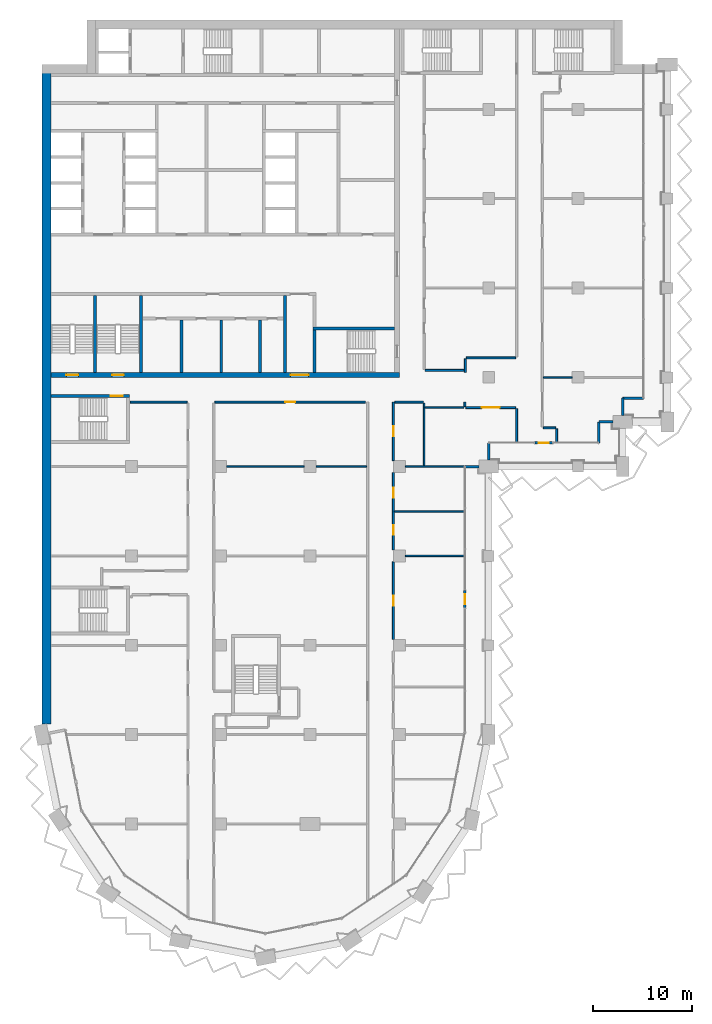
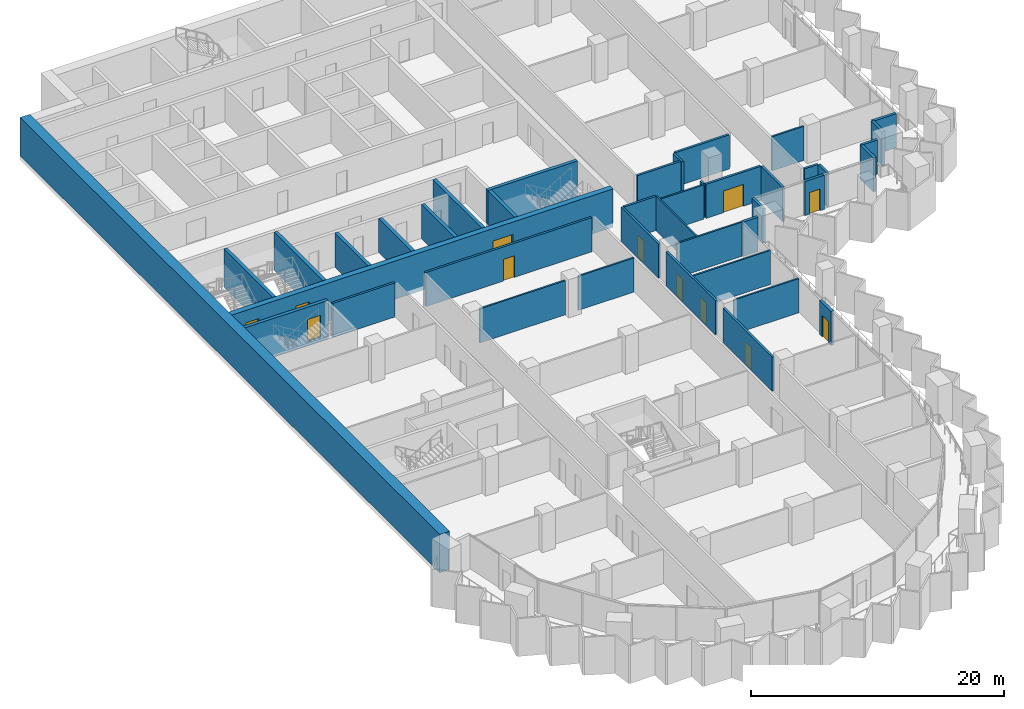
# One storey, part 11 of 22: 41 walls, 12 doors, 12 openings.
"""IFC4 building model written with IfcOpenShell, lengths in metres."""

from ifc_helpers import new_model, si_unit, direction, frame, frame_2d, origin, place, context, subcontext, project, spatial, rectangle, extrude, material, layer, layer_set, type_object, element, fill, save


model = new_model("IFC4")

# Units and contexts
model_context = context("Model", 3, precision=1e-05, world=origin(), true_north=direction((0.0, 1.0)))
body_context = subcontext(model_context, "Body", "Model", "MODEL_VIEW")
ifc_project = project(units=[si_unit("LENGTHUNIT", "METRE"), si_unit("AREAUNIT", "SQUARE_METRE"), si_unit("VOLUMEUNIT", "CUBIC_METRE"), si_unit("PLANEANGLEUNIT", "RADIAN"), si_unit("MASSUNIT", "GRAM", prefix="KILO")], contexts=[model_context])

# Site, building, storey
site_placement = place(None, origin())
site = spatial("IfcSite", under=ifc_project, at=site_placement, CompositionType="ELEMENT")
building_placement = place(site_placement, origin())
building = spatial("IfcBuilding", under=site, at=building_placement, Name="Hunhe Ridgeline Campus", CompositionType="ELEMENT")
storey_placement = place(building_placement, frame((0.0, 0.0, 137.5)))
storey = spatial("IfcBuildingStorey", under=building, at=storey_placement, Name="L34", CompositionType="ELEMENT", Elevation=137.5)

# Walls
ifc_material_1 = material(Name="Masonry concrete blockwork", Category="masonry")
ifc_layer_1 = layer(ifc_material_1, 0.300048828125)
ifc_layer_set_1 = layer_set([ifc_layer_1], Name="Core room partition 300 concrete block")
wall_type_1 = type_object("IfcWallType", Name="Core room partition 300 concrete block", PredefinedType="PARTITIONING", material=ifc_layer_set_1)
for number, where, z_axis, x_axis, name in (
    (1, (14.050048828125, 63.5, 0.0), (0.0, 0.0, 1.0), (0.0, 1.0, 0.0), "L34 core partition 42"),
    (2, (18.050048828125, 63.5, 0.0), (0.0, 0.0, 1.0), (0.0, 1.0, 0.0), "L34 core partition 45"),
    (3, (21.949951171875, 63.5, 0.0), (0.0, 0.0, 1.0), (0.0, 1.0, 0.0), "L34 core partition 47"),
):
    element("IfcWall", number, at=place(storey_placement, frame(where, z_axis=z_axis, x_axis=x_axis)), inside=storey, type_object=wall_type_1, Name=name, PredefinedType="PARTITIONING", context=body_context, shape_type="SweptSolid", body=[
        extrude(rectangle(XDim=5.25, YDim=0.300048828125, at=frame_2d((2.625, 0.0))), origin(), (0.0, 0.0, 1.0), 3.300048828125),
    ])
wall_1_placement = place(storey_placement, frame((24.449951171875, 63.5, 0.0), z_axis=(0.0, 0.0, 1.0), x_axis=(0.0, 1.0, 0.0)))
element("IfcWall", 4, at=wall_1_placement, inside=storey, type_object=wall_type_1, Name="L34 core partition 52", PredefinedType="PARTITIONING", context=body_context, shape_type="SweptSolid", body=[
    extrude(rectangle(XDim=7.75, YDim=0.300048828125, at=frame_2d((3.875, 0.0))), origin(), (0.0, 0.0, 1.0), 3.300048828125),
])

# Wall, openings, doors
ifc_material_2 = material(Name="Concrete C70", Category="concrete")
ifc_layer_2 = layer(ifc_material_2, 0.5)
ifc_layer_set_2 = layer_set([ifc_layer_2], Name="Core wall 500 reinforced concrete C70")
wall_type_2 = type_object("IfcWallType", Name="Core wall 500 reinforced concrete C70", PredefinedType="SOLIDWALL", material=ifc_layer_set_2)
wall_2_placement = place(storey_placement, frame((0.89990234375, 63.25, -0.39990234375), z_axis=(0.0, 0.0, 1.0), x_axis=(1.0, 0.0, 0.0)))
wall_2 = element("IfcWall", 5, at=wall_2_placement, inside=storey, type_object=wall_type_2, Name="L34 core wall 7", PredefinedType="SOLIDWALL", context=body_context, shape_type="SweptSolid", body=[
    extrude(rectangle(XDim=35.10009765625, YDim=0.5, at=frame_2d((17.550048828125, 0.0))), origin(), (0.0, 0.0, 1.0), 3.699951171875),
])
opening_1_placement = place(wall_2_placement, frame((24.14990234375, 0.0, 0.39990234375)))
opening_1 = element("IfcOpeningElement", 6, at=opening_1_placement, cuts=wall_2, Name="Opening CD6", PredefinedType="OPENING", context=body_context, shape_type="SweptSolid", body=[
    extrude(rectangle(XDim=1.800048828125, YDim=2.10009765625, at=frame_2d((0.89990234375, 1.050048828125))), frame((0.0, 0.25, 0.0), z_axis=(0.0, -1.0, 0.0), x_axis=(1.0, 0.0, 0.0)), (0.0, 0.0, 1.0), 0.5),
])
opening_2_placement = place(wall_2_placement, frame((1.550048828125, 0.0, 0.39990234375)))
opening_2 = element("IfcOpeningElement", 7, at=opening_2_placement, cuts=wall_2, Name="Opening CD13", PredefinedType="OPENING", context=body_context, shape_type="SweptSolid", body=[
    extrude(rectangle(XDim=1.199951171875, YDim=2.10009765625, at=frame_2d((0.60009765625, 1.050048828125))), frame((0.0, 0.25, 0.0), z_axis=(0.0, -1.0, 0.0), x_axis=(1.0, 0.0, 0.0)), (0.0, 0.0, 1.0), 0.5),
])
opening_3_placement = place(wall_2_placement, frame((6.14990234375, 0.0, 0.39990234375)))
opening_3 = element("IfcOpeningElement", 8, at=opening_3_placement, cuts=wall_2, Name="Opening CD14", PredefinedType="OPENING", context=body_context, shape_type="SweptSolid", body=[
    extrude(rectangle(XDim=1.199951171875, YDim=2.10009765625, at=frame_2d((0.60009765625, 1.050048828125))), frame((0.0, 0.25, 0.0), z_axis=(0.0, -1.0, 0.0), x_axis=(1.0, 0.0, 0.0)), (0.0, 0.0, 1.0), 0.5),
])
ifc_material_3 = material(Name="Anodised aluminium and glass", Category="aluminium")
door_type_1 = type_object("IfcDoorType", Name="Glazed double door 1800x2100", OperationType="DOUBLE_DOOR_SINGLE_SWING", PredefinedType="DOOR", material=ifc_material_3)
door_1_placement = place(opening_1_placement, frame((1.800048828125, 0.0, 0.0), z_axis=(0.0, 0.0, 1.0), x_axis=(-1.0, 0.0, 0.0)))
door_1 = element("IfcDoor", 9, at=door_1_placement, inside=storey, type_object=door_type_1, Name="L34 door VEST-FLOOR", OperationType="DOUBLE_DOOR_SINGLE_SWING", OverallHeight=2.10009765625, OverallWidth=1.800048828125, PredefinedType="DOOR", context=body_context, shape_type="SweptSolid", body=[
    extrude(rectangle(XDim=1.800048828125, YDim=2.10009765625, at=frame_2d((0.89990234375, 1.050048828125))), frame((0.0, 0.02490234375, 0.0), z_axis=(0.0, -1.0, 0.0), x_axis=(1.0, 0.0, 0.0)), (0.0, 0.0, 1.0), 0.050048828125),
])
fill(opening_1, door_1)
ifc_material_4 = material(Name="Hollow metal fire door leaf")
door_type_2 = type_object("IfcDoorType", Name="Stair door 1200x2100 FD60", OperationType="SINGLE_SWING_LEFT", PredefinedType="DOOR", material=ifc_material_4)
door_2_placement = place(opening_2_placement, frame((1.199951171875, 0.0, 0.0), z_axis=(0.0, 0.0, 1.0), x_axis=(-1.0, 0.0, 0.0)))
door_2 = element("IfcDoor", 10, at=door_2_placement, inside=storey, type_object=door_type_2, Name="L34 door S3", OperationType="SINGLE_SWING_RIGHT", OverallHeight=2.10009765625, OverallWidth=1.199951171875, PredefinedType="DOOR", context=body_context, shape_type="SweptSolid", body=[
    extrude(rectangle(XDim=1.199951171875, YDim=2.10009765625, at=frame_2d((0.60009765625, 1.050048828125))), frame((0.0, 0.02490234375, 0.0), z_axis=(0.0, -1.0, 0.0), x_axis=(1.0, 0.0, 0.0)), (0.0, 0.0, 1.0), 0.050048828125),
])
fill(opening_2, door_2)
door_3_placement = place(opening_3_placement, frame((1.199951171875, 0.0, 0.0), z_axis=(0.0, 0.0, 1.0), x_axis=(-1.0, 0.0, 0.0)))
door_3 = element("IfcDoor", 11, at=door_3_placement, inside=storey, type_object=door_type_2, Name="L34 door S4", OperationType="SINGLE_SWING_LEFT", OverallHeight=2.10009765625, OverallWidth=1.199951171875, PredefinedType="DOOR", context=body_context, shape_type="SweptSolid", body=[
    extrude(rectangle(XDim=1.199951171875, YDim=2.10009765625, at=frame_2d((0.60009765625, 1.050048828125))), frame((0.0, 0.02490234375, 0.0), z_axis=(0.0, -1.0, 0.0), x_axis=(1.0, 0.0, 0.0)), (0.0, 0.0, 1.0), 0.050048828125),
])
fill(opening_3, door_3)

# Walls
ifc_material_5 = material(Name="Concrete C30", Category="concrete")
ifc_layer_3 = layer(ifc_material_5, 0.25)
ifc_layer_set_3 = layer_set([ifc_layer_3], Name="Corner return wall 250 Concrete C30")
wall_type_3 = type_object("IfcWallType", Name="Corner return wall 250 Concrete C30", PredefinedType="SOLIDWALL", material=ifc_layer_set_3)
wall_3_placement = place(storey_placement, frame((42.59912109375, 54.00048828125, 0.0), z_axis=(0.0, 0.0, 1.0), x_axis=(0.999999984814, 0.000174276749, 0.0)))
element("IfcWall", 12, at=wall_3_placement, inside=storey, type_object=wall_type_3, Name="Corner return wall 2", PredefinedType="SOLIDWALL", context=body_context, shape_type="SweptSolid", body=[
    extrude(rectangle(XDim=1.40087890625, YDim=0.25, at=frame_2d((0.700439453125, 0.0))), origin(), (0.0, 0.0, 1.0), 3.300048828125),
])
wall_4_placement = place(storey_placement, frame((44.999267578125, 54.64990234375, 0.0), z_axis=(0.0, 0.0, 1.0), x_axis=(0.000278862231, 0.999999961118, 0.0)))
element("IfcWall", 13, at=wall_4_placement, inside=storey, type_object=wall_type_3, Name="Corner return wall 3", PredefinedType="SOLIDWALL", context=body_context, shape_type="SweptSolid", body=[
    extrude(rectangle(XDim=1.7509765625, YDim=0.25, at=frame_2d((0.87548828125, 0.0))), origin(), (0.0, 0.0, 1.0), 3.300048828125),
])
wall_5_placement = place(storey_placement, frame((56.09912109375, 56.40087890625, 0.0), z_axis=(0.0, 0.0, 1.0), x_axis=(0.00011626555, 0.999999993241, 0.0)))
element("IfcWall", 14, at=wall_5_placement, inside=storey, type_object=wall_type_3, Name="Corner return wall 4", PredefinedType="SOLIDWALL", context=body_context, shape_type="SweptSolid", body=[
    extrude(rectangle(XDim=2.099853515625, YDim=0.25, at=frame_2d((1.0498046875, 0.0))), origin(), (0.0, 0.0, 1.0), 3.300048828125),
])
wall_6_placement = place(storey_placement, frame((56.099365234375, 58.500732421875, 0.0), z_axis=(0.0, 0.0, 1.0), x_axis=(0.999999984809, 0.000174307127, 0.0)))
element("IfcWall", 15, at=wall_6_placement, inside=storey, type_object=wall_type_3, Name="Corner return wall 5", PredefinedType="SOLIDWALL", context=body_context, shape_type="SweptSolid", body=[
    extrude(rectangle(XDim=1.400634765625, YDim=0.25, at=frame_2d((0.7001953125, 0.0))), origin(), (0.0, 0.0, 1.0), 3.300048828125),
])
wall_7_placement = place(storey_placement, frame((58.4990234375, 59.14990234375, 0.0), z_axis=(0.0, 0.0, 1.0), x_axis=(0.000139450563, 0.999999990277, 0.0)))
element("IfcWall", 16, at=wall_7_placement, inside=storey, type_object=wall_type_3, Name="Corner return wall 6", PredefinedType="SOLIDWALL", context=body_context, shape_type="SweptSolid", body=[
    extrude(rectangle(XDim=1.750732421875, YDim=0.25, at=frame_2d((0.87548828125, 0.0))), origin(), (0.0, 0.0, 1.0), 3.300048828125),
])
wall_8_placement = place(storey_placement, frame((58.499267578125, 60.900634765625, 0.0), z_axis=(0.0, 0.0, 1.0), x_axis=(0.999999993241, 0.00011626555, 0.0)))
element("IfcWall", 17, at=wall_8_placement, inside=storey, type_object=wall_type_3, Name="Corner return wall 7", PredefinedType="SOLIDWALL", context=body_context, shape_type="SweptSolid", body=[
    extrude(rectangle(XDim=2.099853515625, YDim=0.25, at=frame_2d((1.0498046875, 0.0))), origin(), (0.0, 0.0, 1.0), 3.300048828125),
])
ifc_material_6 = material(Name="Gypsum board partition")
ifc_layer_4 = layer(ifc_material_6, 0.199951171875)
ifc_layer_set_4 = layer_set([ifc_layer_4], Name="Corridor partition 200 gypsum board on steel studs")
wall_type_4 = type_object("IfcWallType", Name="Corridor partition 200 gypsum board on steel studs", PredefinedType="PARTITIONING", material=ifc_layer_set_4)
wall_9_placement = place(storey_placement, frame((50.5, 57.90087890625, 0.0), z_axis=(0.0, 0.0, 1.0), x_axis=(1.0, 0.0, 0.0)))
element("IfcWall", 18, at=wall_9_placement, inside=storey, type_object=wall_type_4, Name="F-L34-wall-036", PredefinedType="PARTITIONING", context=body_context, shape_type="SweptSolid", body=[
    extrude(rectangle(XDim=1.2490234375, YDim=0.199951171875, at=frame_2d((0.62451171875, 0.0))), origin(), (0.0, 0.0, 1.0), 3.300048828125),
])

# Wall, opening, door
wall_10_placement = place(storey_placement, frame((47.699951171875, 59.950927734375, 0.0), z_axis=(0.0, 0.0, 1.0), x_axis=(-1.0, 0.0, 0.0)))
wall_10 = element("IfcWall", 19, at=wall_10_placement, inside=storey, type_object=wall_type_4, Name="F-L34-wall-038", PredefinedType="PARTITIONING", context=body_context, shape_type="SweptSolid", body=[
    extrude(rectangle(XDim=5.0, YDim=0.199951171875, at=frame_2d((2.5, 0.0))), origin(), (0.0, 0.0, 1.0), 3.300048828125),
])
opening_4_placement = place(wall_10_placement, frame((1.60009765625, 0.0, 0.0)))
opening_4 = element("IfcOpeningElement", 20, at=opening_4_placement, cuts=wall_10, Name="Opening RD2-029", PredefinedType="OPENING", context=body_context, shape_type="SweptSolid", body=[
    extrude(rectangle(XDim=1.800048828125, YDim=2.10009765625, at=frame_2d((0.89990234375, 1.050048828125))), frame((0.0, 0.10009765625, 0.0), z_axis=(0.0, -1.0, 0.0), x_axis=(1.0, 0.0, 0.0)), (0.0, 0.0, 1.0), 0.199951171875),
])
ifc_material_7 = material(Name="Timber door leaf", Category="wood")
door_type_3 = type_object("IfcDoorType", Name="Double fire door 1800x2100 timber FD60", OperationType="DOUBLE_DOOR_SINGLE_SWING", PredefinedType="DOOR", material=ifc_material_7)
door_4_placement = place(opening_4_placement, origin())
door_4 = element("IfcDoor", 21, at=door_4_placement, inside=storey, type_object=door_type_3, Name="F-L34-door-029", OperationType="DOUBLE_DOOR_SINGLE_SWING", OverallHeight=2.10009765625, OverallWidth=1.800048828125, PredefinedType="DOOR", context=body_context, shape_type="SweptSolid", body=[
    extrude(rectangle(XDim=1.800048828125, YDim=2.10009765625, at=frame_2d((0.89990234375, 1.050048828125))), frame((0.0, 0.02490234375, 0.0), z_axis=(0.0, -1.0, 0.0), x_axis=(1.0, 0.0, 0.0)), (0.0, 0.0, 1.0), 0.050048828125),
])
fill(opening_4, door_4)

# Wall
wall_11_placement = place(storey_placement, frame((14.60009765625, 60.5, 0.0), z_axis=(0.0, 0.0, 1.0), x_axis=(-1.0, 0.0, 0.0)))
element("IfcWall", 22, at=wall_11_placement, inside=storey, type_object=wall_type_4, Name="F-L34-wall-039", PredefinedType="PARTITIONING", context=body_context, shape_type="SweptSolid", body=[
    extrude(rectangle(XDim=5.696044921875, YDim=0.199951171875, at=frame_2d((2.84814453125, 0.0))), origin(), (0.0, 0.0, 1.0), 3.300048828125),
])

# Wall, opening, door
wall_12_placement = place(storey_placement, frame((32.580810546875, 60.5, 0.0), z_axis=(0.0, 0.0, 1.0), x_axis=(-1.0, 0.0, 0.0)))
wall_12 = element("IfcWall", 23, at=wall_12_placement, inside=storey, type_object=wall_type_4, Name="F-L34-wall-040", PredefinedType="PARTITIONING", context=body_context, shape_type="SweptSolid", body=[
    extrude(rectangle(XDim=15.180908203125, YDim=0.199951171875, at=frame_2d((7.59033203125, 0.0))), origin(), (0.0, 0.0, 1.0), 3.300048828125),
])
opening_5_placement = place(wall_12_placement, frame((7.09033203125, 0.0, 0.0)))
opening_5 = element("IfcOpeningElement", 24, at=opening_5_placement, cuts=wall_12, Name="Opening RD1-030", PredefinedType="OPENING", context=body_context, shape_type="SweptSolid", body=[
    extrude(rectangle(XDim=1.0, YDim=2.10009765625, at=frame_2d((0.5, 1.050048828125))), frame((0.0, 0.10009765625, 0.0), z_axis=(0.0, -1.0, 0.0), x_axis=(1.0, 0.0, 0.0)), (0.0, 0.0, 1.0), 0.199951171875),
])
door_type_4 = type_object("IfcDoorType", Name="Single fire door 1000x2100 timber FD60", OperationType="NOTDEFINED", PredefinedType="DOOR", material=ifc_material_7)
door_5_placement = place(opening_5_placement, origin())
door_5 = element("IfcDoor", 25, at=door_5_placement, inside=storey, type_object=door_type_4, Name="F-L34-door-030", OperationType="SINGLE_SWING_LEFT", OverallHeight=2.10009765625, OverallWidth=1.0, PredefinedType="DOOR", context=body_context, shape_type="SweptSolid", body=[
    extrude(rectangle(XDim=1.0, YDim=2.10009765625, at=frame_2d((0.5, 1.050048828125))), frame((0.0, 0.02490234375, 0.0), z_axis=(0.0, -1.0, 0.0), x_axis=(1.0, 0.0, 0.0)), (0.0, 0.0, 1.0), 0.050048828125),
])
fill(opening_5, door_5)

# Walls
wall_13_placement = place(storey_placement, frame((38.425048828125, 60.5, 0.0), z_axis=(0.0, 0.0, 1.0), x_axis=(-1.0, 0.0, 0.0)))
element("IfcWall", 26, at=wall_13_placement, inside=storey, type_object=wall_type_4, Name="F-L34-wall-041", PredefinedType="PARTITIONING", context=body_context, shape_type="SweptSolid", body=[
    extrude(rectangle(XDim=2.884765625, YDim=0.199951171875, at=frame_2d((1.4423828125, 0.0))), origin(), (0.0, 0.0, 1.0), 3.300048828125),
])
wall_14_placement = place(storey_placement, frame((38.60009765625, 63.699951171875, 0.0), z_axis=(0.0, 0.0, 1.0), x_axis=(1.0, 0.0, 0.0)))
element("IfcWall", 27, at=wall_14_placement, inside=storey, type_object=wall_type_4, Name="F-L34-wall-044", PredefinedType="PARTITIONING", context=body_context, shape_type="SweptSolid", body=[
    extrude(rectangle(XDim=3.949951171875, YDim=0.199951171875, at=frame_2d((1.97509765625, 0.0))), origin(), (0.0, 0.0, 1.0), 3.300048828125),
])
wall_15_placement = place(storey_placement, frame((42.75, 64.949951171875, 0.0), z_axis=(0.0, 0.0, 1.0), x_axis=(1.0, 0.0, 0.0)))
element("IfcWall", 28, at=wall_15_placement, inside=storey, type_object=wall_type_4, Name="F-L34-wall-045", PredefinedType="PARTITIONING", context=body_context, shape_type="SweptSolid", body=[
    extrude(rectangle(XDim=4.949951171875, YDim=0.199951171875, at=frame_2d((2.47509765625, 0.0))), origin(), (0.0, 0.0, 1.0), 3.300048828125),
])

# Wall, opening, door
wall_16_placement = place(storey_placement, frame((35.39990234375, 44.39990234375, 0.0), z_axis=(0.0, 0.0, 1.0), x_axis=(0.0, -1.0, 0.0)))
wall_16 = element("IfcWall", 29, at=wall_16_placement, inside=storey, type_object=wall_type_4, Name="F-L34-wall-072", PredefinedType="PARTITIONING", context=body_context, shape_type="SweptSolid", body=[
    extrude(rectangle(XDim=7.7998046875, YDim=0.199951171875, at=frame_2d((3.89990234375, 0.0))), origin(), (0.0, 0.0, 1.0), 3.300048828125),
])
opening_6_placement = place(wall_16_placement, frame((3.39990234375, 0.0, 0.0)))
opening_6 = element("IfcOpeningElement", 30, at=opening_6_placement, cuts=wall_16, Name="Opening RD1-017", PredefinedType="OPENING", context=body_context, shape_type="SweptSolid", body=[
    extrude(rectangle(XDim=1.0, YDim=2.10009765625, at=frame_2d((0.5, 1.050048828125))), frame((0.0, 0.10009765625, 0.0), z_axis=(0.0, -1.0, 0.0), x_axis=(1.0, 0.0, 0.0)), (0.0, 0.0, 1.0), 0.199951171875),
])
door_6_placement = place(opening_6_placement, origin())
door_6 = element("IfcDoor", 31, at=door_6_placement, inside=storey, type_object=door_type_4, Name="F-L34-door-017", OperationType="SINGLE_SWING_LEFT", OverallHeight=2.10009765625, OverallWidth=1.0, PredefinedType="DOOR", context=body_context, shape_type="SweptSolid", body=[
    extrude(rectangle(XDim=1.0, YDim=2.10009765625, at=frame_2d((0.5, 1.050048828125))), frame((0.0, 0.02490234375, 0.0), z_axis=(0.0, -1.0, 0.0), x_axis=(1.0, 0.0, 0.0)), (0.0, 0.0, 1.0), 0.050048828125),
])
fill(opening_6, door_6)

# Wall, openings, doors
wall_17_placement = place(storey_placement, frame((35.39990234375, 53.39990234375, 0.0), z_axis=(0.0, 0.0, 1.0), x_axis=(0.0, -1.0, 0.0)))
wall_17 = element("IfcWall", 32, at=wall_17_placement, inside=storey, type_object=wall_type_4, Name="F-L34-wall-073", PredefinedType="PARTITIONING", context=body_context, shape_type="SweptSolid", body=[
    extrude(rectangle(XDim=7.7998046875, YDim=0.199951171875, at=frame_2d((3.89990234375, 0.0))), origin(), (0.0, 0.0, 1.0), 3.300048828125),
])
opening_7_placement = place(wall_17_placement, frame((5.287109375, 0.0, 0.0)))
opening_7 = element("IfcOpeningElement", 33, at=opening_7_placement, cuts=wall_17, Name="Opening RD1-021", PredefinedType="OPENING", context=body_context, shape_type="SweptSolid", body=[
    extrude(rectangle(XDim=1.0, YDim=2.10009765625, at=frame_2d((0.5, 1.050048828125))), frame((0.0, 0.10009765625, 0.0), z_axis=(0.0, -1.0, 0.0), x_axis=(1.0, 0.0, 0.0)), (0.0, 0.0, 1.0), 0.199951171875),
])
opening_8_placement = place(wall_17_placement, frame((1.512939453125, 0.0, 0.0)))
opening_8 = element("IfcOpeningElement", 34, at=opening_8_placement, cuts=wall_17, Name="Opening RD1-024", PredefinedType="OPENING", context=body_context, shape_type="SweptSolid", body=[
    extrude(rectangle(XDim=1.0, YDim=2.10009765625, at=frame_2d((0.5, 1.050048828125))), frame((0.0, 0.10009765625, 0.0), z_axis=(0.0, -1.0, 0.0), x_axis=(1.0, 0.0, 0.0)), (0.0, 0.0, 1.0), 0.199951171875),
])
door_7_placement = place(opening_7_placement, origin())
door_7 = element("IfcDoor", 35, at=door_7_placement, inside=storey, type_object=door_type_4, Name="F-L34-door-021", OperationType="SINGLE_SWING_RIGHT", OverallHeight=2.10009765625, OverallWidth=1.0, PredefinedType="DOOR", context=body_context, shape_type="SweptSolid", body=[
    extrude(rectangle(XDim=1.0, YDim=2.10009765625, at=frame_2d((0.5, 1.050048828125))), frame((0.0, 0.02490234375, 0.0), z_axis=(0.0, -1.0, 0.0), x_axis=(1.0, 0.0, 0.0)), (0.0, 0.0, 1.0), 0.050048828125),
])
fill(opening_7, door_7)
door_8_placement = place(opening_8_placement, origin())
door_8 = element("IfcDoor", 36, at=door_8_placement, inside=storey, type_object=door_type_4, Name="F-L34-door-024", OperationType="SINGLE_SWING_LEFT", OverallHeight=2.10009765625, OverallWidth=1.0, PredefinedType="DOOR", context=body_context, shape_type="SweptSolid", body=[
    extrude(rectangle(XDim=1.0, YDim=2.10009765625, at=frame_2d((0.5, 1.050048828125))), frame((0.0, 0.02490234375, 0.0), z_axis=(0.0, -1.0, 0.0), x_axis=(1.0, 0.0, 0.0)), (0.0, 0.0, 1.0), 0.050048828125),
])
fill(opening_8, door_8)

# Wall, opening, door
wall_18_placement = place(storey_placement, frame((35.39990234375, 60.5, 0.0), z_axis=(0.0, 0.0, 1.0), x_axis=(0.0, -1.0, 0.0)))
wall_18 = element("IfcWall", 37, at=wall_18_placement, inside=storey, type_object=wall_type_4, Name="F-L34-wall-074", PredefinedType="PARTITIONING", context=body_context, shape_type="SweptSolid", body=[
    extrude(rectangle(XDim=5.89990234375, YDim=0.199951171875, at=frame_2d((2.949951171875, 0.0))), origin(), (0.0, 0.0, 1.0), 3.300048828125),
])
opening_9_placement = place(wall_18_placement, frame((2.449951171875, 0.0, 0.0)))
opening_9 = element("IfcOpeningElement", 38, at=opening_9_placement, cuts=wall_18, Name="Opening RD1-028", PredefinedType="OPENING", context=body_context, shape_type="SweptSolid", body=[
    extrude(rectangle(XDim=1.0, YDim=2.10009765625, at=frame_2d((0.5, 1.050048828125))), frame((0.0, 0.10009765625, 0.0), z_axis=(0.0, -1.0, 0.0), x_axis=(1.0, 0.0, 0.0)), (0.0, 0.0, 1.0), 0.199951171875),
])
door_9_placement = place(opening_9_placement, origin())
door_9 = element("IfcDoor", 39, at=door_9_placement, inside=storey, type_object=door_type_4, Name="F-L34-door-028", OperationType="SINGLE_SWING_RIGHT", OverallHeight=2.10009765625, OverallWidth=1.0, PredefinedType="DOOR", context=body_context, shape_type="SweptSolid", body=[
    extrude(rectangle(XDim=1.0, YDim=2.10009765625, at=frame_2d((0.5, 1.050048828125))), frame((0.0, 0.02490234375, 0.0), z_axis=(0.0, -1.0, 0.0), x_axis=(1.0, 0.0, 0.0)), (0.0, 0.0, 1.0), 0.050048828125),
])
fill(opening_9, door_9)

# Walls
wall_19_placement = place(storey_placement, frame((42.60009765625, 60.051025390625, 0.0), z_axis=(0.0, 0.0, 1.0), x_axis=(0.0, 1.0, 0.0)))
element("IfcWall", 40, at=wall_19_placement, inside=storey, type_object=wall_type_4, Name="F-L34-wall-077", PredefinedType="PARTITIONING", context=body_context, shape_type="SweptSolid", body=[
    extrude(rectangle(XDim=0.448974609375, YDim=0.199951171875, at=frame_2d((0.224609375, 0.0))), origin(), (0.0, 0.0, 1.0), 3.300048828125),
])
wall_20_placement = place(storey_placement, frame((42.64990234375, 63.487548828125, 0.0), z_axis=(0.0, 0.0, 1.0), x_axis=(0.0, 1.0, 0.0)))
element("IfcWall", 41, at=wall_20_placement, inside=storey, type_object=wall_type_4, Name="F-L34-wall-078", PredefinedType="PARTITIONING", context=body_context, shape_type="SweptSolid", body=[
    extrude(rectangle(XDim=1.362548828125, YDim=0.199951171875, at=frame_2d((0.68115234375, 0.0))), origin(), (0.0, 0.0, 1.0), 3.300048828125),
])
wall_21_placement = place(storey_placement, frame((47.800048828125, 56.455078125, 0.0), z_axis=(0.0, 0.0, 1.0), x_axis=(0.0, 1.0, 0.0)))
element("IfcWall", 42, at=wall_21_placement, inside=storey, type_object=wall_type_4, Name="F-L34-wall-079", PredefinedType="PARTITIONING", context=body_context, shape_type="SweptSolid", body=[
    extrude(rectangle(XDim=3.39599609375, YDim=0.199951171875, at=frame_2d((1.697998046875, 0.0))), origin(), (0.0, 0.0, 1.0), 3.300048828125),
])
wall_22_placement = place(storey_placement, frame((51.84912109375, 57.801025390625, 0.0), z_axis=(0.0, 0.0, 1.0), x_axis=(0.0, -1.0, 0.0)))
element("IfcWall", 43, at=wall_22_placement, inside=storey, type_object=wall_type_4, Name="F-L34-wall-082", PredefinedType="PARTITIONING", context=body_context, shape_type="SweptSolid", body=[
    extrude(rectangle(XDim=1.345947265625, YDim=0.199951171875, at=frame_2d((0.6728515625, 0.0))), origin(), (0.0, 0.0, 1.0), 3.300048828125),
])

# Wall, opening, door
ifc_layer_5 = layer(ifc_material_5, 0.25)
ifc_layer_set_5 = layer_set([ifc_layer_5], Name="Loggia door pier wall 250 Concrete C30")
wall_type_5 = type_object("IfcWallType", Name="Loggia door pier wall 250 Concrete C30", PredefinedType="SOLIDWALL", material=ifc_layer_set_5)
wall_23_placement = place(storey_placement, frame((42.59912109375, 39.718505859375, 0.0), z_axis=(0.0, 0.0, 1.0), x_axis=(0.0, 1.0, 0.0)))
wall_23 = element("IfcWall", 44, at=wall_23_placement, inside=storey, type_object=wall_type_5, Name="Loggia door pier 3", PredefinedType="SOLIDWALL", context=body_context, shape_type="SweptSolid", body=[
    extrude(rectangle(XDim=1.800048828125, YDim=0.25, at=frame_2d((0.89990234375, 0.0))), origin(), (0.0, 0.0, 1.0), 3.300048828125),
])
opening_10_placement = place(wall_23_placement, frame((0.39990234375, 0.0, 0.0)))
opening_10 = element("IfcOpeningElement", 45, at=opening_10_placement, cuts=wall_23, Name="Opening BD305", PredefinedType="OPENING", context=body_context, shape_type="SweptSolid", body=[
    extrude(rectangle(XDim=1.0, YDim=2.10009765625, at=frame_2d((0.5, 1.050048828125))), frame((0.0, 0.125, 0.0), z_axis=(0.0, -1.0, 0.0), x_axis=(1.0, 0.0, 0.0)), (0.0, 0.0, 1.0), 0.25),
])
ifc_material_8 = material(Name="Aluminium 6063", Category="aluminium")
door_type_5 = type_object("IfcDoorType", Name="Loggia glazed door 1000x2100", OperationType="NOTDEFINED", PredefinedType="DOOR", material=ifc_material_8)
door_10_placement = place(opening_10_placement, frame((1.0, 0.0, 0.0), z_axis=(0.0, 0.0, 1.0), x_axis=(-1.0, 0.0, 0.0)))
door_10 = element("IfcDoor", 46, at=door_10_placement, inside=storey, type_object=door_type_5, Name="Loggia door BD305", OperationType="SINGLE_SWING_RIGHT", OverallHeight=2.10009765625, OverallWidth=1.0, PredefinedType="DOOR", context=body_context, shape_type="SweptSolid", body=[
    extrude(rectangle(XDim=1.0, YDim=2.10009765625, at=frame_2d((0.5, 1.050048828125))), frame((0.0, 0.02490234375, 0.0), z_axis=(0.0, -1.0, 0.0), x_axis=(1.0, 0.0, 0.0)), (0.0, 0.0, 1.0), 0.050048828125),
])
fill(opening_10, door_10)

wall_24_placement = place(storey_placement, frame((49.6494140625, 56.40087890625, 0.0), z_axis=(0.0, 0.0, 1.0), x_axis=(1.0, 0.0, 0.0)))
wall_24 = element("IfcWall", 47, at=wall_24_placement, inside=storey, type_object=wall_type_5, Name="Loggia door pier 4", PredefinedType="SOLIDWALL", context=body_context, shape_type="SweptSolid", body=[
    extrude(rectangle(XDim=1.800048828125, YDim=0.25, at=frame_2d((0.89990234375, 0.0))), origin(), (0.0, 0.0, 1.0), 3.300048828125),
])
opening_11_placement = place(wall_24_placement, frame((0.39990234375, 0.0, 0.0)))
opening_11 = element("IfcOpeningElement", 48, at=opening_11_placement, cuts=wall_24, Name="Opening BD306", PredefinedType="OPENING", context=body_context, shape_type="SweptSolid", body=[
    extrude(rectangle(XDim=1.0, YDim=2.10009765625, at=frame_2d((0.5, 1.050048828125))), frame((0.0, 0.125, 0.0), z_axis=(0.0, -1.0, 0.0), x_axis=(1.0, 0.0, 0.0)), (0.0, 0.0, 1.0), 0.25),
])
door_11_placement = place(opening_11_placement, frame((1.0, 0.0, 0.0), z_axis=(0.0, 0.0, 1.0), x_axis=(-1.0, 0.0, 0.0)))
door_11 = element("IfcDoor", 49, at=door_11_placement, inside=storey, type_object=door_type_5, Name="Loggia door BD306", OperationType="SINGLE_SWING_LEFT", OverallHeight=2.10009765625, OverallWidth=1.0, PredefinedType="DOOR", context=body_context, shape_type="SweptSolid", body=[
    extrude(rectangle(XDim=1.0, YDim=2.10009765625, at=frame_2d((0.5, 1.050048828125))), frame((0.0, 0.02490234375, 0.0), z_axis=(0.0, -1.0, 0.0), x_axis=(1.0, 0.0, 0.0)), (0.0, 0.0, 1.0), 0.050048828125),
])
fill(opening_11, door_11)

# Walls
ifc_layer_6 = layer(ifc_material_6, 0.14990234375)
ifc_layer_set_6 = layer_set([ifc_layer_6], Name="Room partition 150 gypsum board on steel studs")
wall_type_6 = type_object("IfcWallType", Name="Room partition 150 gypsum board on steel studs", PredefinedType="PARTITIONING", material=ifc_layer_set_6)
wall_25_placement = place(storey_placement, frame((36.60009765625, 45.0, 0.0), z_axis=(0.0, 0.0, 1.0), x_axis=(1.0, 0.0, 0.0)))
element("IfcWall", 50, at=wall_25_placement, inside=storey, type_object=wall_type_6, Name="F-L34-wall-029", PredefinedType="PARTITIONING", context=body_context, shape_type="SweptSolid", body=[
    extrude(rectangle(XDim=5.945068359375, YDim=0.14990234375, at=frame_2d((2.97265625, 0.0))), origin(), (0.0, 0.0, 1.0), 3.300048828125),
])
wall_26_placement = place(storey_placement, frame((35.5, 49.5, 0.0), z_axis=(0.0, 0.0, 1.0), x_axis=(1.0, 0.0, 0.0)))
element("IfcWall", 51, at=wall_26_placement, inside=storey, type_object=wall_type_6, Name="F-L34-wall-030", PredefinedType="PARTITIONING", context=body_context, shape_type="SweptSolid", body=[
    extrude(rectangle(XDim=7.045166015625, YDim=0.14990234375, at=frame_2d((3.5224609375, 0.0))), origin(), (0.0, 0.0, 1.0), 3.300048828125),
])
wall_27_placement = place(storey_placement, frame((18.60009765625, 54.0, 0.0), z_axis=(0.0, 0.0, 1.0), x_axis=(1.0, 0.0, 0.0)))
element("IfcWall", 52, at=wall_27_placement, inside=storey, type_object=wall_type_6, Name="F-L34-wall-033", PredefinedType="PARTITIONING", context=body_context, shape_type="SweptSolid", body=[
    extrude(rectangle(XDim=7.7998046875, YDim=0.14990234375, at=frame_2d((3.89990234375, 0.0))), origin(), (0.0, 0.0, 1.0), 3.300048828125),
])
wall_28_placement = place(storey_placement, frame((27.60009765625, 54.0, 0.0), z_axis=(0.0, 0.0, 1.0), x_axis=(1.0, 0.0, 0.0)))
element("IfcWall", 53, at=wall_28_placement, inside=storey, type_object=wall_type_6, Name="F-L34-wall-034", PredefinedType="PARTITIONING", context=body_context, shape_type="SweptSolid", body=[
    extrude(rectangle(XDim=5.099853515625, YDim=0.14990234375, at=frame_2d((2.5498046875, 0.0))), origin(), (0.0, 0.0, 1.0), 3.300048828125),
])
wall_29_placement = place(storey_placement, frame((36.60009765625, 54.0, 0.0), z_axis=(0.0, 0.0, 1.0), x_axis=(1.0, 0.0, 0.0)))
element("IfcWall", 54, at=wall_29_placement, inside=storey, type_object=wall_type_6, Name="F-L34-wall-035", PredefinedType="PARTITIONING", context=body_context, shape_type="SweptSolid", body=[
    extrude(rectangle(XDim=5.945068359375, YDim=0.14990234375, at=frame_2d((2.97265625, 0.0))), origin(), (0.0, 0.0, 1.0), 3.300048828125),
])
wall_30_placement = place(storey_placement, frame((38.574951171875, 59.950927734375, 0.0), z_axis=(0.0, 0.0, 1.0), x_axis=(1.0, 0.0, 0.0)))
element("IfcWall", 55, at=wall_30_placement, inside=storey, type_object=wall_type_6, Name="F-L34-wall-037", PredefinedType="PARTITIONING", context=body_context, shape_type="SweptSolid", body=[
    extrude(rectangle(XDim=3.925048828125, YDim=0.14990234375, at=frame_2d((1.96240234375, 0.0))), origin(), (0.0, 0.0, 1.0), 3.300048828125),
])
wall_31_placement = place(storey_placement, frame((50.5, 63.0, 0.0), z_axis=(0.0, 0.0, 1.0), x_axis=(1.0, 0.0, 0.0)))
element("IfcWall", 56, at=wall_31_placement, inside=storey, type_object=wall_type_6, Name="F-L34-wall-042", PredefinedType="PARTITIONING", context=body_context, shape_type="SweptSolid", body=[
    extrude(rectangle(XDim=2.89990234375, YDim=0.14990234375, at=frame_2d((1.449951171875, 0.0))), origin(), (0.0, 0.0, 1.0), 3.300048828125),
])
wall_32_placement = place(storey_placement, frame((38.5, 60.39990234375, 0.0), z_axis=(0.0, 0.0, 1.0), x_axis=(0.0, -1.0, 0.0)))
element("IfcWall", 57, at=wall_32_placement, inside=storey, type_object=wall_type_6, Name="F-L34-wall-075", PredefinedType="PARTITIONING", context=body_context, shape_type="SweptSolid", body=[
    extrude(rectangle(XDim=6.324951171875, YDim=0.14990234375, at=frame_2d((3.16259765625, 0.0))), origin(), (0.0, 0.0, 1.0), 3.300048828125),
])
ifc_layer_7 = layer(ifc_material_2, 0.89990234375)
ifc_layer_set_7 = layer_set([ifc_layer_7], Name="Spine wall 900 Concrete C70")
wall_type_7 = type_object("IfcWallType", Name="Spine wall 900 Concrete C70", PredefinedType="SHEAR", material=ifc_layer_set_7)
wall_33_placement = place(storey_placement, frame((0.449951171875, 94.5, 0.0), z_axis=(0.0, 0.0, 1.0), x_axis=(0.0, -1.0, 0.0)))
element("IfcWall", 58, at=wall_33_placement, inside=storey, type_object=wall_type_7, Name="Spine wall SW2-1 L34", PredefinedType="SHEAR", context=body_context, shape_type="SweptSolid", body=[
    extrude(rectangle(XDim=66.430419921875, YDim=0.89990234375, at=frame_2d((33.21533203125, 0.0))), origin(), (0.0, 0.0, 1.0), 3.699951171875),
])

# Wall, opening, door
ifc_layer_8 = layer(ifc_material_2, 0.300048828125)
ifc_layer_set_8 = layer_set([ifc_layer_8], Name="Stair wall 300 reinforced concrete C70")
wall_type_8 = type_object("IfcWallType", Name="Stair wall 300 reinforced concrete C70", PredefinedType="SOLIDWALL", material=ifc_layer_set_8)
wall_34_placement = place(storey_placement, frame((0.89990234375, 61.10009765625, -0.39990234375), z_axis=(0.0, 0.0, 1.0), x_axis=(1.0, 0.0, 0.0)))
wall_34 = element("IfcWall", 59, at=wall_34_placement, inside=storey, type_object=wall_type_8, Name="L34 core wall 6", PredefinedType="SOLIDWALL", context=body_context, shape_type="SweptSolid", body=[
    extrude(rectangle(XDim=7.900146484375, YDim=0.300048828125, at=frame_2d((3.9501953125, 0.0))), origin(), (0.0, 0.0, 1.0), 3.699951171875),
])
opening_12_placement = place(wall_34_placement, frame((6.0, 0.0, 0.39990234375)))
opening_12 = element("IfcOpeningElement", 60, at=opening_12_placement, cuts=wall_34, Name="Opening CD22", PredefinedType="OPENING", context=body_context, shape_type="SweptSolid", body=[
    extrude(rectangle(XDim=1.199951171875, YDim=2.10009765625, at=frame_2d((0.60009765625, 1.050048828125))), frame((0.0, 0.14990234375, 0.0), z_axis=(0.0, -1.0, 0.0), x_axis=(1.0, 0.0, 0.0)), (0.0, 0.0, 1.0), 0.300048828125),
])
door_12_placement = place(opening_12_placement, origin())
door_12 = element("IfcDoor", 61, at=door_12_placement, inside=storey, type_object=door_type_2, Name="L34 door W2", OperationType="SINGLE_SWING_RIGHT", OverallHeight=2.10009765625, OverallWidth=1.199951171875, PredefinedType="DOOR", context=body_context, shape_type="SweptSolid", body=[
    extrude(rectangle(XDim=1.199951171875, YDim=2.10009765625, at=frame_2d((0.60009765625, 1.050048828125))), frame((0.0, 0.02490234375, 0.0), z_axis=(0.0, -1.0, 0.0), x_axis=(1.0, 0.0, 0.0)), (0.0, 0.0, 1.0), 0.050048828125),
])
fill(opening_12, door_12)

# Walls
wall_35_placement = place(storey_placement, frame((27.300048828125, 67.89990234375, -0.39990234375), z_axis=(0.0, 0.0, 1.0), x_axis=(1.0, 0.0, 0.0)))
element("IfcWall", 62, at=wall_35_placement, inside=storey, type_object=wall_type_8, Name="L34 core wall 8", PredefinedType="SOLIDWALL", context=body_context, shape_type="SweptSolid", body=[
    extrude(rectangle(XDim=8.199951171875, YDim=0.300048828125, at=frame_2d((4.10009765625, 0.0))), origin(), (0.0, 0.0, 1.0), 3.699951171875),
])
for number, where, z_axis, x_axis, name in (
    (63, (5.35009765625, 63.5, -0.39990234375), (0.0, 0.0, 1.0), (0.0, 1.0, 0.0), "L34 core wall 33"),
    (64, (9.949951171875, 63.5, -0.39990234375), (0.0, 0.0, 1.0), (0.0, 1.0, 0.0), "L34 core wall 39"),
):
    element("IfcWall", number, at=place(storey_placement, frame(where, z_axis=z_axis, x_axis=x_axis)), inside=storey, type_object=wall_type_8, Name=name, PredefinedType="SOLIDWALL", context=body_context, shape_type="SweptSolid", body=[
        extrude(rectangle(XDim=7.75, YDim=0.300048828125, at=frame_2d((3.875, 0.0))), origin(), (0.0, 0.0, 1.0), 3.699951171875),
    ])
wall_36_placement = place(storey_placement, frame((27.449951171875, 63.5, -0.39990234375), z_axis=(0.0, 0.0, 1.0), x_axis=(0.0, 1.0, 0.0)))
element("IfcWall", 65, at=wall_36_placement, inside=storey, type_object=wall_type_8, Name="L34 core wall 54", PredefinedType="SOLIDWALL", context=body_context, shape_type="SweptSolid", body=[
    extrude(rectangle(XDim=4.25, YDim=0.300048828125, at=frame_2d((2.125, 0.0))), origin(), (0.0, 0.0, 1.0), 3.699951171875),
])

save(model, "model.ifc")
